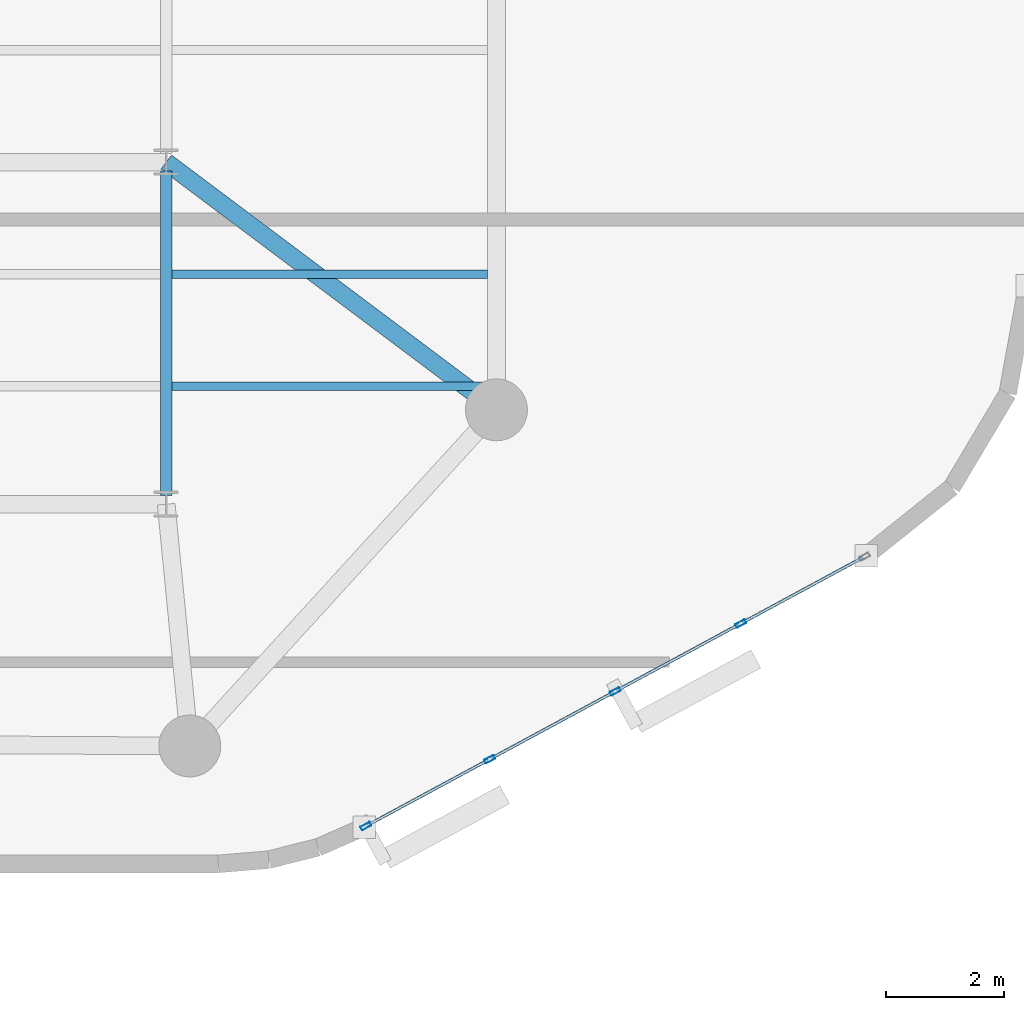
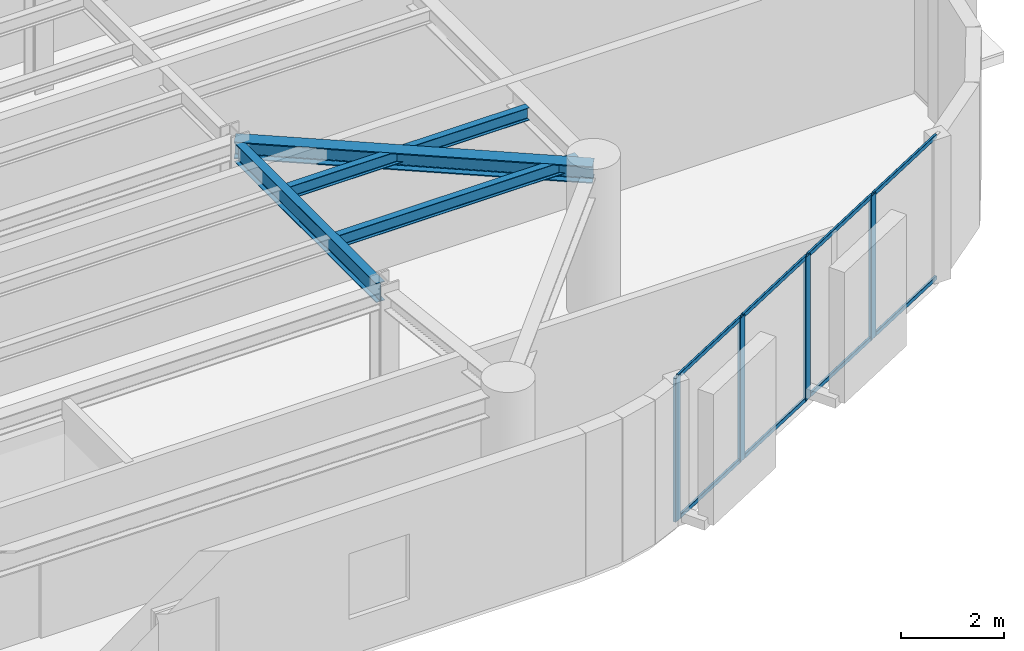
# One storey, part 2 of 13: 12 members, 4 beams, 1 element without a shape of its own.
"""IFC4 building model written with IfcOpenShell, lengths in metres."""

from ifc_helpers import new_model, si_unit, direction, frame, origin, origin_2d, place, context, subcontext, project, spatial, hollow_rectangle, i_section, extrude, material, layer, layer_set, material_profile, profile_set, type_object, element, aggregate, save


model = new_model("IFC4")

# Units and contexts
model_context = context("Model", 3, precision=1e-05, world=origin(), true_north=direction((0.0, 1.0)))
body_context = subcontext(model_context, "Body", "Model", "MODEL_VIEW")
ifc_project = project(units=[si_unit("LENGTHUNIT", "METRE"), si_unit("AREAUNIT", "SQUARE_METRE"), si_unit("VOLUMEUNIT", "CUBIC_METRE"), si_unit("PLANEANGLEUNIT", "RADIAN"), si_unit("MASSUNIT", "GRAM", prefix="KILO")], contexts=[model_context])

# Site, building, storey
site_placement = place(None, origin())
site = spatial("IfcSite", under=ifc_project, at=site_placement, CompositionType="ELEMENT")
building_placement = place(site_placement, origin())
building = spatial("IfcBuilding", under=site, at=building_placement, Name="An Khanh Terracotta Commons", CompositionType="ELEMENT")
storey_placement = place(building_placement, frame((0.0, 0.0, 222.89990234375)))
storey = spatial("IfcBuildingStorey", under=building, at=storey_placement, Name="L58", CompositionType="ELEMENT", Elevation=222.89990234375)

# Beams
ifc_material_1 = material(Name="Steel S355J2", Category="steel")
ifc_material_profile_1 = material_profile(ifc_material_1, i_section(OverallWidth=0.300048828125, OverallDepth=0.39990234375, WebThickness=0.013427734375, FlangeThickness=0.02392578125, FilletRadius=0.027099609375, at=origin_2d()), Name="HEB400")
ifc_profile_set_1 = profile_set([ifc_material_profile_1], Name="Steel S355J2")
beam_type_1 = type_object("IfcBeamType", Name="BM-HEB400", PredefinedType="BEAM", material=ifc_profile_set_1)
beam_1_placement = place(storey_placement, frame((59.60009765625, 16.0, 3.2001953125), z_axis=(-0.800008370399, 0.599988839305, 0.0), x_axis=(-0.599988839305, -0.800008370399, 0.0)))
element("IfcBeam", 1, at=beam_1_placement, inside=storey, type_object=beam_type_1, Name="L58 Mega-Column Tie Girder 3", PredefinedType="BEAM", context=body_context, shape_type="SweptSolid", body=[
    extrude(i_section(OverallWidth=0.300048828125, OverallDepth=0.39990234375, WebThickness=0.013427734375, FlangeThickness=0.02392578125, FilletRadius=0.027099609375, at=origin_2d()), origin(), (0.0, 0.0, 1.0), 7.0),
])
ifc_material_profile_2 = material_profile(ifc_material_1, i_section(OverallWidth=0.14990234375, OverallDepth=0.300048828125, WebThickness=0.007080078125, FlangeThickness=0.0107421875, FilletRadius=0.014892578125, at=origin_2d()), Name="IPE300")
ifc_profile_set_2 = profile_set([ifc_material_profile_2], Name="Steel S355J2")
beam_type_2 = type_object("IfcBeamType", Name="BM-IPE300", PredefinedType="JOIST", material=ifc_profile_set_2)
for number, where, z_axis, x_axis, name in (
    (2, (54.094970703125, 16.39990234375, 3.25), (1.0, 0.0, 0.0), (0.0, 1.0, 0.0), "L58 Riverfront Composite Joist 1"),
    (3, (54.094970703125, 18.300048828125, 3.25), (1.0, 0.0, 0.0), (0.0, 1.0, 0.0), "L58 Riverfront Composite Joist 2"),
):
    element("IfcBeam", number, at=place(storey_placement, frame(where, z_axis=z_axis, x_axis=x_axis)), inside=storey, type_object=beam_type_2, Name=name, PredefinedType="JOIST", context=body_context, shape_type="SweptSolid", body=[
        extrude(i_section(OverallWidth=0.14990234375, OverallDepth=0.300048828125, WebThickness=0.007080078125, FlangeThickness=0.0107421875, FilletRadius=0.014892578125, at=origin_2d()), origin(), (0.0, 0.0, 1.0), 5.35498046875),
    ])
ifc_material_profile_3 = material_profile(ifc_material_1, i_section(OverallWidth=0.18994140625, OverallDepth=0.449951171875, WebThickness=0.009521484375, FlangeThickness=0.0146484375, FilletRadius=0.02099609375, at=origin_2d()), Name="IPE450")
ifc_profile_set_3 = profile_set([ifc_material_profile_3], Name="Steel S355J2")
beam_type_3 = type_object("IfcBeamType", Name="BM-IPE450", PredefinedType="JOIST", material=ifc_profile_set_3)
beam_2_placement = place(storey_placement, frame((54.0, 14.550048828125, 3.175048828125), z_axis=(0.0, 1.0, 0.0), x_axis=(-1.0, 0.0, 0.0)))
element("IfcBeam", 4, at=beam_2_placement, inside=storey, type_object=beam_type_3, Name="L58 East Spine Girder 1", PredefinedType="JOIST", context=body_context, shape_type="SweptSolid", body=[
    extrude(i_section(OverallWidth=0.18994140625, OverallDepth=0.449951171875, WebThickness=0.009521484375, FlangeThickness=0.0146484375, FilletRadius=0.02099609375, at=origin_2d()), origin(), (0.0, 0.0, 1.0), 5.5),
])

# Curtain wall, members
ifc_material_2 = material(Name="Anodised Aluminium 6063-T6", Category="aluminium")
ifc_layer = layer(ifc_material_2, 0.2099609375, Name="Anodised Aluminium 6063-T6")
ifc_layer_set = layer_set([ifc_layer], Name="Anodised Aluminium 6063-T6")
curtain_wall_type = type_object("IfcCurtainWallType", Name="CW-SYS-03", PredefinedType="USERDEFINED", material=ifc_layer_set)
curtain_wall_placement = place(storey_placement, origin())
curtain_wall = element("IfcCurtainWall", 5, at=curtain_wall_placement, inside=storey, type_object=curtain_wall_type, Name="L58 CW-03 Unitised Curtain Wall CW-L58-08", ObjectType="UNITISED CURTAIN WALL", PredefinedType="USERDEFINED")
ifc_material_profile_4 = material_profile(ifc_material_2, hollow_rectangle(XDim=0.070068359375, YDim=0.179931640625, WallThickness=0.00390625, InnerFilletRadius=0.00390625, OuterFilletRadius=0.008056640625, at=origin_2d()), Name="RHS180x70x4")
ifc_profile_set_4 = profile_set([ifc_material_profile_4], Name="Anodised Aluminium 6063-T6")
member_type_1 = type_object("IfcMemberType", Name="CWM-RHS180x70x4", PredefinedType="MULLION", material=ifc_profile_set_4)
member_1_placement = place(storey_placement, frame((57.3876953125, 8.941650390625, 0.0), z_axis=(0.0, 0.0, 1.0), x_axis=(-0.47538088298, 0.879780095306, 0.0)))
member_1 = element("IfcMember", 6, at=member_1_placement, type_object=member_type_1, Name="CW-03 mullion 1", PredefinedType="MULLION", context=body_context, shape_type="SweptSolid", body=[
    extrude(hollow_rectangle(XDim=0.070068359375, YDim=0.179931640625, WallThickness=0.00390625, InnerFilletRadius=0.00390625, OuterFilletRadius=0.008056640625, at=origin_2d()), origin(), (0.0, 0.0, 1.0), 3.400146484375),
])
member_2_placement = place(storey_placement, frame((59.48583984375, 10.0751953125, 0.0), z_axis=(0.0, 0.0, 1.0), x_axis=(-0.47538088298, 0.879780095306, 0.0)))
member_2 = element("IfcMember", 7, at=member_2_placement, type_object=member_type_1, Name="CW-03 mullion 2", PredefinedType="MULLION", context=body_context, shape_type="SweptSolid", body=[
    extrude(hollow_rectangle(XDim=0.070068359375, YDim=0.179931640625, WallThickness=0.00390625, InnerFilletRadius=0.00390625, OuterFilletRadius=0.008056640625, at=origin_2d()), origin(), (0.0, 0.0, 1.0), 3.400146484375),
])
member_3_placement = place(storey_placement, frame((61.614501953125, 11.2255859375, 0.0), z_axis=(0.0, 0.0, 1.0), x_axis=(-0.47538088298, 0.879780095306, 0.0)))
member_3 = element("IfcMember", 8, at=member_3_placement, type_object=member_type_1, Name="CW-03 mullion 3", PredefinedType="MULLION", context=body_context, shape_type="SweptSolid", body=[
    extrude(hollow_rectangle(XDim=0.070068359375, YDim=0.179931640625, WallThickness=0.00390625, InnerFilletRadius=0.00390625, OuterFilletRadius=0.008056640625, at=origin_2d()), origin(), (0.0, 0.0, 1.0), 3.400146484375),
])
member_4_placement = place(storey_placement, frame((63.7431640625, 12.375732421875, 0.0), z_axis=(0.0, 0.0, 1.0), x_axis=(-0.47538088298, 0.879780095306, 0.0)))
member_4 = element("IfcMember", 9, at=member_4_placement, type_object=member_type_1, Name="CW-03 mullion 4", PredefinedType="MULLION", context=body_context, shape_type="SweptSolid", body=[
    extrude(hollow_rectangle(XDim=0.070068359375, YDim=0.179931640625, WallThickness=0.00390625, InnerFilletRadius=0.00390625, OuterFilletRadius=0.008056640625, at=origin_2d()), origin(), (0.0, 0.0, 1.0), 3.400146484375),
])
ifc_material_profile_5 = material_profile(ifc_material_2, hollow_rectangle(XDim=0.050048828125, YDim=0.10009765625, WallThickness=0.003173828125, InnerFilletRadius=0.003173828125, OuterFilletRadius=0.00634765625, at=origin_2d()), Name="RHS100x50x3.2")
ifc_profile_set_5 = profile_set([ifc_material_profile_5], Name="Anodised Aluminium 6063-T6")
member_type_2 = type_object("IfcMemberType", Name="CWT-RHS100x50x3.2", PredefinedType="USERDEFINED", material=ifc_profile_set_5)
member_5_placement = place(storey_placement, frame((57.418701171875, 8.958251953125, 0.025146484375), z_axis=(0.879779245677, 0.475382455373, 0.0), x_axis=(-0.475382455373, 0.879779245677, 0.0)))
member_5 = element("IfcMember", 10, at=member_5_placement, type_object=member_type_2, Name="CW-03 transom 1.1", ObjectType="TRANSOM", PredefinedType="USERDEFINED", context=body_context, shape_type="SweptSolid", body=[
    extrude(hollow_rectangle(XDim=0.050048828125, YDim=0.10009765625, WallThickness=0.003173828125, InnerFilletRadius=0.003173828125, OuterFilletRadius=0.00634765625, at=origin_2d()), origin(), (0.0, 0.0, 1.0), 2.314697265625),
])
member_6_placement = place(storey_placement, frame((57.418701171875, 8.958251953125, 3.375), z_axis=(0.879779245677, 0.475382455373, 0.0), x_axis=(-0.475382455373, 0.879779245677, 0.0)))
member_6 = element("IfcMember", 11, at=member_6_placement, type_object=member_type_2, Name="CW-03 transom 1.2", ObjectType="TRANSOM", PredefinedType="USERDEFINED", context=body_context, shape_type="SweptSolid", body=[
    extrude(hollow_rectangle(XDim=0.050048828125, YDim=0.10009765625, WallThickness=0.003173828125, InnerFilletRadius=0.003173828125, OuterFilletRadius=0.00634765625, at=origin_2d()), origin(), (0.0, 0.0, 1.0), 2.314697265625),
])
member_7_placement = place(storey_placement, frame((59.5166015625, 10.091796875, 0.025146484375), z_axis=(0.879782861449, 0.475375763686, 0.0), x_axis=(-0.475375763686, 0.879782861449, 0.0)))
member_7 = element("IfcMember", 12, at=member_7_placement, type_object=member_type_2, Name="CW-03 transom 2.1", ObjectType="TRANSOM", PredefinedType="USERDEFINED", context=body_context, shape_type="SweptSolid", body=[
    extrude(hollow_rectangle(XDim=0.050048828125, YDim=0.10009765625, WallThickness=0.003173828125, InnerFilletRadius=0.003173828125, OuterFilletRadius=0.00634765625, at=origin_2d()), origin(), (0.0, 0.0, 1.0), 2.349609375),
])
member_8_placement = place(storey_placement, frame((59.5166015625, 10.091796875, 3.375), z_axis=(0.879782861449, 0.475375763686, 0.0), x_axis=(-0.475375763686, 0.879782861449, 0.0)))
member_8 = element("IfcMember", 13, at=member_8_placement, type_object=member_type_2, Name="CW-03 transom 2.2", ObjectType="TRANSOM", PredefinedType="USERDEFINED", context=body_context, shape_type="SweptSolid", body=[
    extrude(hollow_rectangle(XDim=0.050048828125, YDim=0.10009765625, WallThickness=0.003173828125, InnerFilletRadius=0.003173828125, OuterFilletRadius=0.00634765625, at=origin_2d()), origin(), (0.0, 0.0, 1.0), 2.349609375),
])
member_9_placement = place(storey_placement, frame((61.645263671875, 11.2421875, 0.025146484375), z_axis=(0.879782861449, 0.475375763686, 0.0), x_axis=(-0.475375763686, 0.879782861449, 0.0)))
member_9 = element("IfcMember", 14, at=member_9_placement, type_object=member_type_2, Name="CW-03 transom 3.1", ObjectType="TRANSOM", PredefinedType="USERDEFINED", context=body_context, shape_type="SweptSolid", body=[
    extrude(hollow_rectangle(XDim=0.050048828125, YDim=0.10009765625, WallThickness=0.003173828125, InnerFilletRadius=0.003173828125, OuterFilletRadius=0.00634765625, at=origin_2d()), origin(), (0.0, 0.0, 1.0), 2.349609375),
])
member_10_placement = place(storey_placement, frame((61.645263671875, 11.2421875, 3.375), z_axis=(0.879782861449, 0.475375763686, 0.0), x_axis=(-0.475375763686, 0.879782861449, 0.0)))
member_10 = element("IfcMember", 15, at=member_10_placement, type_object=member_type_2, Name="CW-03 transom 3.2", ObjectType="TRANSOM", PredefinedType="USERDEFINED", context=body_context, shape_type="SweptSolid", body=[
    extrude(hollow_rectangle(XDim=0.050048828125, YDim=0.10009765625, WallThickness=0.003173828125, InnerFilletRadius=0.003173828125, OuterFilletRadius=0.00634765625, at=origin_2d()), origin(), (0.0, 0.0, 1.0), 2.349609375),
])
member_11_placement = place(storey_placement, frame((63.77392578125, 12.392333984375, 0.025146484375), z_axis=(0.879779245677, 0.475382455373, 0.0), x_axis=(-0.475382455373, 0.879779245677, 0.0)))
member_11 = element("IfcMember", 16, at=member_11_placement, type_object=member_type_2, Name="CW-03 transom 4.1", ObjectType="TRANSOM", PredefinedType="USERDEFINED", context=body_context, shape_type="SweptSolid", body=[
    extrude(hollow_rectangle(XDim=0.050048828125, YDim=0.10009765625, WallThickness=0.003173828125, InnerFilletRadius=0.003173828125, OuterFilletRadius=0.00634765625, at=origin_2d()), origin(), (0.0, 0.0, 1.0), 2.314697265625),
])
member_12_placement = place(storey_placement, frame((63.77392578125, 12.392333984375, 3.375), z_axis=(0.879779245677, 0.475382455373, 0.0), x_axis=(-0.475382455373, 0.879779245677, 0.0)))
member_12 = element("IfcMember", 17, at=member_12_placement, type_object=member_type_2, Name="CW-03 transom 4.2", ObjectType="TRANSOM", PredefinedType="USERDEFINED", context=body_context, shape_type="SweptSolid", body=[
    extrude(hollow_rectangle(XDim=0.050048828125, YDim=0.10009765625, WallThickness=0.003173828125, InnerFilletRadius=0.003173828125, OuterFilletRadius=0.00634765625, at=origin_2d()), origin(), (0.0, 0.0, 1.0), 2.314697265625),
])
aggregate(curtain_wall, [member_1, member_2, member_3, member_4, member_5, member_6, member_7, member_8, member_9, member_10, member_11, member_12])

save(model, "model.ifc")
